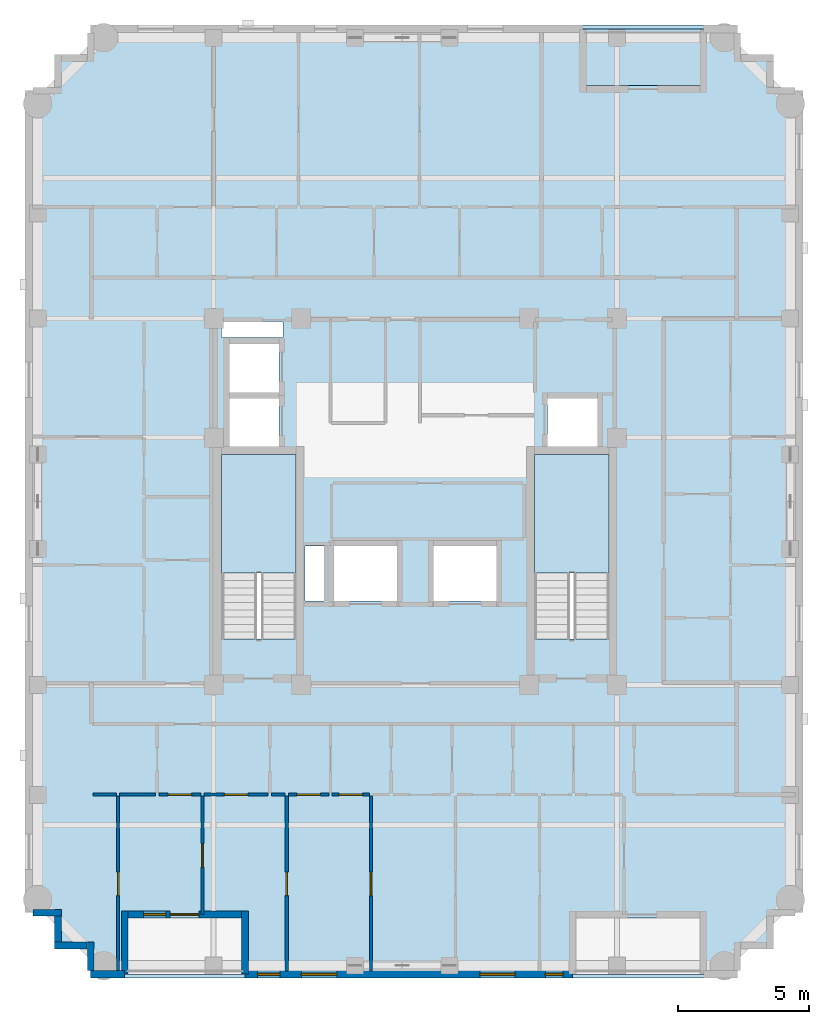
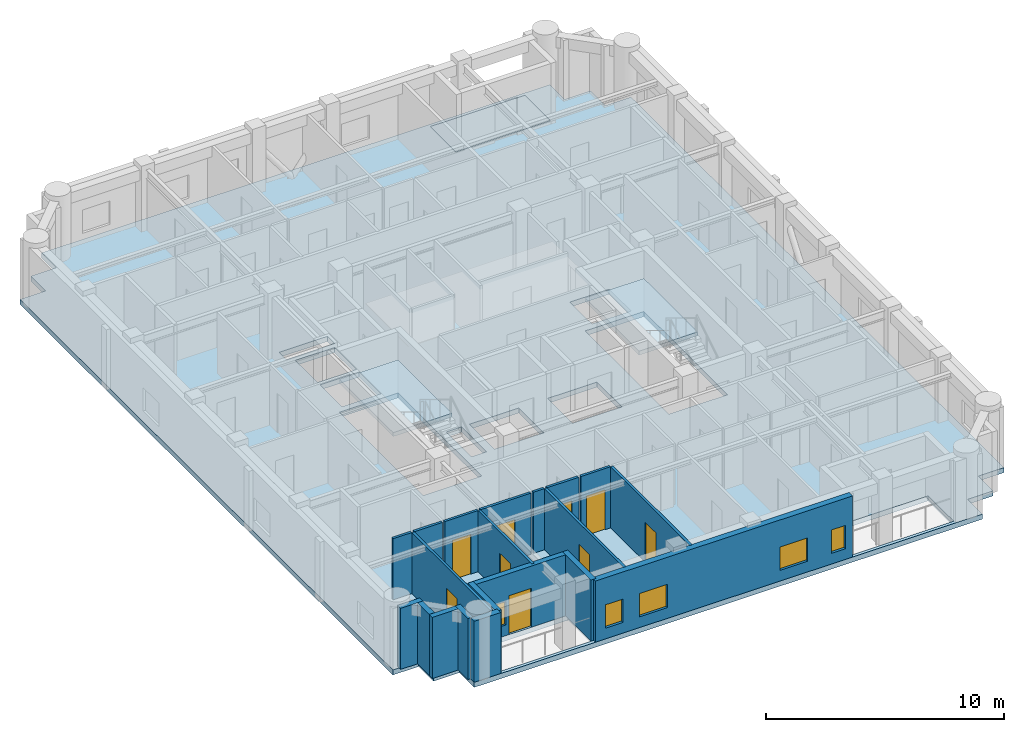
# One storey, part 2 of 11: 20 walls, 9 doors, 5 windows, 4 slabs, 14 openings, 2 elements without a shape of their own.
"""IFC4 building model written with IfcOpenShell, lengths in metres."""

from ifc_helpers import new_model, si_unit, derived_unit, direction, frame, frame_2d, origin, place, context, subcontext, project, spatial, polyline, rectangle, outline, extrude, material, layer, layer_set, type_object, element, fill, aggregate, save


model = new_model("IFC4")

# Units and contexts
model_context = context("Model", 3, precision=1e-05, world=origin(), true_north=direction((0.0, 1.0)))
body_context = subcontext(model_context, "Body", "Model", "MODEL_VIEW")
ifc_project = project(units=[si_unit("LENGTHUNIT", "METRE"), si_unit("AREAUNIT", "SQUARE_METRE"), si_unit("VOLUMEUNIT", "CUBIC_METRE"), si_unit("PLANEANGLEUNIT", "RADIAN"), si_unit("MASSUNIT", "GRAM", prefix="KILO"), derived_unit("THERMALTRANSMITTANCEUNIT", [(si_unit("MASSUNIT", "GRAM", prefix="KILO"), 1), (si_unit("TIMEUNIT", "SECOND"), -3), (si_unit("THERMODYNAMICTEMPERATUREUNIT", "KELVIN"), -1)])], contexts=[model_context])

# Site, building, storey
site_placement = place(None, origin())
site = spatial("IfcSite", under=ifc_project, at=site_placement, CompositionType="ELEMENT")
building_placement = place(site_placement, origin())
building = spatial("IfcBuilding", under=site, at=building_placement, Name="Korrvale Station Residences", CompositionType="ELEMENT")
storey_placement = place(building_placement, frame((0.0, 0.0, 224.10009765625)))
storey = spatial("IfcBuildingStorey", under=building, at=storey_placement, Name="L65", CompositionType="ELEMENT", Elevation=224.10009765625)

# Slabs
ifc_material_1 = material(Name="Concrete C50/60", Category="concrete")
ifc_layer_1 = layer(ifc_material_1, 0.219970703125, Name="Concrete C50/60")
ifc_layer_set_1 = layer_set([ifc_layer_1], Name="Concrete C50/60")
slab_type_1 = type_object("IfcSlabType", Name="SLB-BAL-220", PredefinedType="FLOOR", material=ifc_layer_set_1)
slab_1_placement = place(storey_placement, frame((0.0, 0.0, -0.22021484375)))
element("IfcSlab", 1, at=slab_1_placement, inside=storey, type_object=slab_type_1, Name="L65 Recessed Loggia Balcony Slab BAL-L65-N1", PredefinedType="FLOOR", context=body_context, shape_type="SweptSolid", body=[
    extrude(outline(polyline([(31.89990234375, 37.89990234375), (36.5, 37.89990234375), (36.5, 40.050048828125), (31.89990234375, 40.050048828125), (31.89990234375, 37.89990234375)])), origin(), (0.0, 0.0, 1.0), 0.22021484375),
])
ifc_layer_2 = layer(ifc_material_1, 0.260009765625, Name="Concrete C50/60")
ifc_layer_set_2 = layer_set([ifc_layer_2], Name="Concrete C50/60")
slab_type_2 = type_object("IfcSlabType", Name="SLB-FLR-260", PredefinedType="FLOOR", material=ifc_layer_set_2)
slab_2_placement = place(storey_placement, frame((0.0, 0.0, -0.260009765625)))
element("IfcSlab", 2, at=slab_2_placement, inside=storey, type_object=slab_type_2, Name="L65 Suspended Structural Floor Slab", PredefinedType="FLOOR", context=body_context, shape_type="SweptSolid", body=[
    extrude(outline(polyline([(13.10009765625, 3.800048828125), (37.800048828125, 3.800048828125), (37.800048828125, 5.050048828125), (39.050048828125, 5.050048828125), (39.050048828125, 6.300048828125), (40.300048828125, 6.300048828125), (40.300048828125, 37.699951171875), (39.050048828125, 37.699951171875), (39.050048828125, 38.949951171875), (37.800048828125, 38.949951171875), (37.800048828125, 40.199951171875), (13.10009765625, 40.199951171875), (13.10009765625, 38.949951171875), (11.85009765625, 38.949951171875), (11.85009765625, 37.699951171875), (10.60009765625, 37.699951171875), (10.60009765625, 6.300048828125), (11.85009765625, 6.300048828125), (11.85009765625, 5.050048828125), (13.10009765625, 5.050048828125), (13.10009765625, 3.800048828125)]), holes=[polyline([(20.949951171875, 16.751953125), (20.949951171875, 23.800048828125), (18.10009765625, 23.800048828125), (18.10009765625, 16.751953125), (20.949951171875, 16.751953125)]), polyline([(32.89990234375, 16.751953125), (32.89990234375, 23.800048828125), (30.050048828125, 23.800048828125), (30.050048828125, 16.751953125), (32.89990234375, 16.751953125)]), polyline([(18.39990234375, 24.10009765625), (20.300048828125, 24.10009765625), (20.300048828125, 25.949951171875), (18.39990234375, 25.949951171875), (18.39990234375, 24.10009765625)]), polyline([(18.39990234375, 26.169921875), (20.300048828125, 26.169921875), (20.300048828125, 28.02001953125), (18.39990234375, 28.02001953125), (18.39990234375, 26.169921875)]), polyline([(30.550048828125, 24.10009765625), (32.449951171875, 24.10009765625), (32.449951171875, 25.949951171875), (30.550048828125, 25.949951171875), (30.550048828125, 24.10009765625)]), polyline([(22.39990234375, 18.199951171875), (24.800048828125, 18.199951171875), (24.800048828125, 20.300048828125), (22.39990234375, 20.300048828125), (22.39990234375, 18.199951171875)]), polyline([(26.199951171875, 18.199951171875), (28.60009765625, 18.199951171875), (28.60009765625, 20.300048828125), (26.199951171875, 20.300048828125), (26.199951171875, 18.199951171875)]), polyline([(18.10009765625, 28.280029296875), (20.449951171875, 28.280029296875), (20.449951171875, 28.8798828125), (18.10009765625, 28.8798828125), (18.10009765625, 28.280029296875)]), polyline([(21.280029296875, 18.199951171875), (22.02001953125, 18.199951171875), (22.02001953125, 20.300048828125), (21.280029296875, 20.300048828125), (21.280029296875, 18.199951171875)]), polyline([(14.39990234375, 3.949951171875), (19.0, 3.949951171875), (19.0, 6.10009765625), (14.39990234375, 6.10009765625), (14.39990234375, 3.949951171875)]), polyline([(31.89990234375, 37.89990234375), (36.5, 37.89990234375), (36.5, 40.050048828125), (31.89990234375, 40.050048828125), (31.89990234375, 37.89990234375)]), polyline([(31.5, 3.949951171875), (36.5, 3.949951171875), (36.5, 6.10009765625), (31.5, 6.10009765625), (31.5, 3.949951171875)])]), origin(), (0.0, 0.0, 1.0), 0.260009765625),
])

# Stair, slab
stair_type = type_object("IfcStairType", Name="STR-DL-1350-20R-1700", PredefinedType="HALF_TURN_STAIR", material=ifc_material_1)
stair_1_placement = place(storey_placement, origin())
stair_1 = element("IfcStair", 3, at=stair_1_placement, inside=storey, type_object=stair_type, Name="L65 Exit Stair 1", PredefinedType="HALF_TURN_STAIR")
ifc_layer_3 = layer(ifc_material_1, 0.199951171875, Name="Concrete C50/60")
ifc_layer_set_3 = layer_set([ifc_layer_3], Name="Concrete C50/60")
slab_type_3 = type_object("IfcSlabType", Name="SLB-LND-200", PredefinedType="LANDING", material=ifc_layer_set_3)
slab_3_placement = place(storey_placement, frame((0.0, 0.0, 1.5)))
slab_3 = element("IfcSlab", 4, at=slab_3_placement, type_object=slab_type_3, Name="ST-1 landing 1", PredefinedType="LANDING", context=body_context, shape_type="SweptSolid", body=[
    extrude(outline(polyline([(20.949951171875, 19.27001953125), (20.949951171875, 23.800048828125), (18.10009765625, 23.800048828125), (18.10009765625, 19.27001953125), (20.949951171875, 19.27001953125)])), origin(), (0.0, 0.0, 1.0), 0.199951171875),
])
aggregate(stair_1, [slab_3])

stair_2_placement = place(storey_placement, origin())
stair_2 = element("IfcStair", 5, at=stair_2_placement, inside=storey, type_object=stair_type, Name="L65 Exit Stair 2", PredefinedType="HALF_TURN_STAIR")
slab_4_placement = place(storey_placement, frame((0.0, 0.0, 1.5)))
slab_4 = element("IfcSlab", 6, at=slab_4_placement, type_object=slab_type_3, Name="ST-2 landing 1", PredefinedType="LANDING", context=body_context, shape_type="SweptSolid", body=[
    extrude(outline(polyline([(32.89990234375, 19.27001953125), (32.89990234375, 23.800048828125), (30.050048828125, 23.800048828125), (30.050048828125, 19.27001953125), (32.89990234375, 19.27001953125)])), origin(), (0.0, 0.0, 1.0), 0.199951171875),
])
aggregate(stair_2, [slab_4])

# Wall
ifc_material_2 = material(Name="Precast concrete C45/55", Category="concrete")
ifc_layer_4 = layer(ifc_material_2, 0.260009765625, Name="Precast concrete C45/55")
ifc_layer_set_4 = layer_set([ifc_layer_4], Name="Precast concrete C45/55")
wall_type_1 = type_object("IfcWallType", Name="WAL-EXT-LOG260", PredefinedType="SOLIDWALL", material=ifc_layer_set_4)
wall_1_placement = place(storey_placement, frame((19.0, 3.9599609375, 0.0), z_axis=(0.0, 0.0, 1.0), x_axis=(0.0, 1.0, 0.0)))
element("IfcWall", 7, at=wall_1_placement, inside=storey, type_object=wall_type_1, Name="L65 Recessed Loggia Wall BAL-L65-S1-L", PredefinedType="SOLIDWALL", context=body_context, shape_type="SweptSolid", body=[
    extrude(rectangle(XDim=2.400146484375, YDim=0.260009765625, at=frame_2d((1.2001953125, 0.0))), origin(), (0.0, 0.0, 1.0), 3.139892578125),
])

# Wall, openings, door, window
wall_2_placement = place(storey_placement, frame((18.865966796875, 6.22998046875, 0.0), z_axis=(0.0, 0.0, 1.0), x_axis=(-1.0, 0.0, 0.0)))
wall_2 = element("IfcWall", 8, at=wall_2_placement, inside=storey, type_object=wall_type_1, Name="L65 Recessed Loggia Wall BAL-L65-S1-B", PredefinedType="SOLIDWALL", context=body_context, shape_type="SweptSolid", body=[
    extrude(rectangle(XDim=4.33203125, YDim=0.260009765625, at=frame_2d((2.166015625, 0.0))), origin(), (0.0, 0.0, 1.0), 3.139892578125),
])
opening_1_placement = place(wall_2_placement, frame((1.635986328125, 0.0, 0.0)))
opening_1 = element("IfcOpeningElement", 9, at=opening_1_placement, cuts=wall_2, Name="Opening BD-01", PredefinedType="OPENING", context=body_context, shape_type="SweptSolid", body=[
    extrude(rectangle(XDim=1.10009765625, YDim=2.0, at=frame_2d((0.550048828125, 1.0))), frame((0.0, 0.14013671875, 0.0), z_axis=(0.0, -1.0, 0.0), x_axis=(1.0, 0.0, 0.0)), (0.0, 0.0, 1.0), 0.280029296875),
])
opening_2_placement = place(wall_2_placement, frame((2.89599609375, 0.0, 0.550048828125)))
opening_2 = element("IfcOpeningElement", 10, at=opening_2_placement, cuts=wall_2, Name="Opening W-11", PredefinedType="OPENING", context=body_context, shape_type="SweptSolid", body=[
    extrude(rectangle(XDim=0.85009765625, YDim=1.199951171875, at=frame_2d((0.425048828125, 0.60009765625))), frame((0.0, 0.14013671875, 0.0), z_axis=(0.0, -1.0, 0.0), x_axis=(1.0, 0.0, 0.0)), (0.0, 0.0, 1.0), 0.280029296875),
])
ifc_material_3 = material(Name="Exterior thermally broken aluminium glazed balcony door", Category="aluminium")
door_type_1 = type_object("IfcDoorType", Name="DR-EXT-BAL", OperationType="NOTDEFINED", PredefinedType="DOOR", material=ifc_material_3)
door_1_placement = place(opening_1_placement, origin())
door_1 = element("IfcDoor", 11, at=door_1_placement, inside=storey, type_object=door_type_1, Name="L65 Loggia Balcony Door BAL-L65-S1", OperationType="SINGLE_SWING_LEFT", OverallHeight=2.0, OverallWidth=1.10009765625, PredefinedType="DOOR", context=body_context, shape_type="SweptSolid", body=[
    extrude(rectangle(XDim=1.10009765625, YDim=2.0, at=frame_2d((0.550048828125, 1.0))), frame((0.0, 0.02490234375, 0.0), z_axis=(0.0, -1.0, 0.0), x_axis=(1.0, 0.0, 0.0)), (0.0, 0.0, 1.0), 0.050048828125),
])
fill(opening_1, door_1)
ifc_material_4 = material(Name="Thermally broken aluminium frame with triple low-e glazing", Category="aluminium")
window_type_1 = type_object("IfcWindowType", Name="WIN-W11", PartitioningType="SINGLE_PANEL", PredefinedType="WINDOW", material=ifc_material_4)
window_1_placement = place(opening_2_placement, origin())
window_1 = element("IfcWindow", 12, at=window_1_placement, inside=storey, type_object=window_type_1, Name="L65 Punched Window 02", OverallHeight=1.199951171875, OverallWidth=0.85009765625, PartitioningType="SINGLE_PANEL", PredefinedType="WINDOW", context=body_context, shape_type="SweptSolid", body=[
    extrude(rectangle(XDim=0.85009765625, YDim=1.199951171875, at=frame_2d((0.425048828125, 0.60009765625))), frame((0.0, 0.030029296875, 0.0), z_axis=(0.0, -1.0, 0.0), x_axis=(1.0, 0.0, 0.0)), (0.0, 0.0, 1.0), 0.06005859375),
])
fill(opening_2, window_1)

# Walls
wall_3_placement = place(storey_placement, frame((14.39990234375, 6.360107421875, 0.0), z_axis=(0.0, 0.0, 1.0), x_axis=(0.0, -1.0, 0.0)))
element("IfcWall", 13, at=wall_3_placement, inside=storey, type_object=wall_type_1, Name="L65 Recessed Loggia Wall BAL-L65-S1-R", PredefinedType="SOLIDWALL", context=body_context, shape_type="SweptSolid", body=[
    extrude(rectangle(XDim=2.400146484375, YDim=0.260009765625, at=frame_2d((1.2001953125, 0.0))), origin(), (0.0, 0.0, 1.0), 3.139892578125),
])
wall_4_placement = place(storey_placement, frame((13.10009765625, 4.10205078125, 0.0), z_axis=(0.0, 0.0, 1.0), x_axis=(0.0, 1.0, 0.0)))
element("IfcWall", 14, at=wall_4_placement, inside=storey, type_object=wall_type_1, Name="L65 Serrated Corner Precast Step SW-1", PredefinedType="SOLIDWALL", context=body_context, shape_type="SweptSolid", body=[
    extrude(rectangle(XDim=1.077880859375, YDim=0.260009765625, at=frame_2d((0.5390625, 0.0))), origin(), (0.0, 0.0, 1.0), 3.139892578125),
])
wall_5_placement = place(storey_placement, frame((12.968017578125, 5.050048828125, 0.0), z_axis=(0.0, 0.0, 1.0), x_axis=(-1.0, 0.0, 0.0)))
element("IfcWall", 15, at=wall_5_placement, inside=storey, type_object=wall_type_1, Name="L65 Serrated Corner Precast Step SW-2", PredefinedType="SOLIDWALL", context=body_context, shape_type="SweptSolid", body=[
    extrude(rectangle(XDim=1.248046875, YDim=0.260009765625, at=frame_2d((0.6240234375, 0.0))), origin(), (0.0, 0.0, 1.0), 3.139892578125),
])
wall_6_placement = place(storey_placement, frame((11.85009765625, 5.181884765625, 0.0), z_axis=(0.0, 0.0, 1.0), x_axis=(0.0, 1.0, 0.0)))
element("IfcWall", 16, at=wall_6_placement, inside=storey, type_object=wall_type_1, Name="L65 Serrated Corner Precast Step SW-3", PredefinedType="SOLIDWALL", context=body_context, shape_type="SweptSolid", body=[
    extrude(rectangle(XDim=0.986083984375, YDim=0.260009765625, at=frame_2d((0.4931640625, 0.0))), origin(), (0.0, 0.0, 1.0), 3.139892578125),
])
wall_7_placement = place(storey_placement, frame((11.97998046875, 6.300048828125, 0.0), z_axis=(0.0, 0.0, 1.0), x_axis=(-1.0, 0.0, 0.0)))
element("IfcWall", 17, at=wall_7_placement, inside=storey, type_object=wall_type_1, Name="L65 Serrated Corner Precast Step SW-4", PredefinedType="SOLIDWALL", context=body_context, shape_type="SweptSolid", body=[
    extrude(rectangle(XDim=1.077880859375, YDim=0.260009765625, at=frame_2d((0.5390625, 0.0))), origin(), (0.0, 0.0, 1.0), 3.139892578125),
])

# Wall, openings, windows
ifc_layer_5 = layer(ifc_material_2, 0.300048828125, Name="Precast concrete C45/55")
ifc_layer_set_5 = layer_set([ifc_layer_5], Name="Precast concrete C45/55")
wall_type_2 = type_object("IfcWallType", Name="WAL-EXT-PC300", PredefinedType="SOLIDWALL", material=ifc_layer_set_5)
wall_8_placement = place(storey_placement, frame((31.5, 3.949951171875, 0.0), z_axis=(0.0, 0.0, 1.0), x_axis=(-1.0, 0.0, 0.0)))
wall_8 = element("IfcWall", 18, at=wall_8_placement, inside=storey, type_object=wall_type_2, Name="L65 South Exterior Precast Wall 2", PredefinedType="SOLIDWALL", context=body_context, shape_type="SweptSolid", body=[
    extrude(rectangle(XDim=12.5, YDim=0.300048828125, at=frame_2d((6.25, 0.0))), origin(), (0.0, 0.0, 1.0), 3.139892578125),
])
opening_3_placement = place(wall_8_placement, frame((11.1708984375, 0.0, 0.550048828125)))
opening_3 = element("IfcOpeningElement", 19, at=opening_3_placement, cuts=wall_8, Name="Opening W-11", PredefinedType="OPENING", context=body_context, shape_type="SweptSolid", body=[
    extrude(rectangle(XDim=0.85009765625, YDim=1.199951171875, at=frame_2d((0.425048828125, 0.60009765625))), frame((0.0, 0.16015625, 0.0), z_axis=(0.0, -1.0, 0.0), x_axis=(1.0, 0.0, 0.0)), (0.0, 0.0, 1.0), 0.320068359375),
])
opening_4_placement = place(wall_8_placement, frame((9.0, 0.0, 0.550048828125)))
opening_4 = element("IfcOpeningElement", 20, at=opening_4_placement, cuts=wall_8, Name="Opening W-10", PredefinedType="OPENING", context=body_context, shape_type="SweptSolid", body=[
    extrude(rectangle(XDim=1.35009765625, YDim=1.199951171875, at=frame_2d((0.675048828125, 0.60009765625))), frame((0.0, 0.16015625, 0.0), z_axis=(0.0, -1.0, 0.0), x_axis=(1.0, 0.0, 0.0)), (0.0, 0.0, 1.0), 0.320068359375),
])
opening_5_placement = place(wall_8_placement, frame((2.18603515625, 0.0, 0.550048828125)))
opening_5 = element("IfcOpeningElement", 21, at=opening_5_placement, cuts=wall_8, Name="Opening W-10", PredefinedType="OPENING", context=body_context, shape_type="SweptSolid", body=[
    extrude(rectangle(XDim=1.35009765625, YDim=1.199951171875, at=frame_2d((0.675048828125, 0.60009765625))), frame((0.0, 0.16015625, 0.0), z_axis=(0.0, -1.0, 0.0), x_axis=(1.0, 0.0, 0.0)), (0.0, 0.0, 1.0), 0.320068359375),
])
opening_6_placement = place(wall_8_placement, frame((0.35009765625, 0.0, 0.550048828125)))
opening_6 = element("IfcOpeningElement", 22, at=opening_6_placement, cuts=wall_8, Name="Opening W-12", PredefinedType="OPENING", context=body_context, shape_type="SweptSolid", body=[
    extrude(rectangle(XDim=0.679931640625, YDim=1.199951171875, at=frame_2d((0.33984375, 0.60009765625))), frame((0.0, 0.16015625, 0.0), z_axis=(0.0, -1.0, 0.0), x_axis=(1.0, 0.0, 0.0)), (0.0, 0.0, 1.0), 0.320068359375),
])
window_type_2 = type_object("IfcWindowType", Name="WIN-W10", PartitioningType="SINGLE_PANEL", PredefinedType="WINDOW", material=ifc_material_4)
window_2_placement = place(opening_4_placement, origin())
window_2 = element("IfcWindow", 23, at=window_2_placement, inside=storey, type_object=window_type_2, Name="L65 Punched Window 04", OverallHeight=1.199951171875, OverallWidth=1.35009765625, PartitioningType="SINGLE_PANEL", PredefinedType="WINDOW", context=body_context, shape_type="SweptSolid", body=[
    extrude(rectangle(XDim=1.35009765625, YDim=1.199951171875, at=frame_2d((0.675048828125, 0.60009765625))), frame((0.0, 0.030029296875, 0.0), z_axis=(0.0, -1.0, 0.0), x_axis=(1.0, 0.0, 0.0)), (0.0, 0.0, 1.0), 0.06005859375),
])
fill(opening_4, window_2)
window_3_placement = place(opening_5_placement, origin())
window_3 = element("IfcWindow", 24, at=window_3_placement, inside=storey, type_object=window_type_2, Name="L65 Punched Window 05", OverallHeight=1.199951171875, OverallWidth=1.35009765625, PartitioningType="SINGLE_PANEL", PredefinedType="WINDOW", context=body_context, shape_type="SweptSolid", body=[
    extrude(rectangle(XDim=1.35009765625, YDim=1.199951171875, at=frame_2d((0.675048828125, 0.60009765625))), frame((0.0, 0.030029296875, 0.0), z_axis=(0.0, -1.0, 0.0), x_axis=(1.0, 0.0, 0.0)), (0.0, 0.0, 1.0), 0.06005859375),
])
fill(opening_5, window_3)
window_4_placement = place(opening_3_placement, origin())
window_4 = element("IfcWindow", 25, at=window_4_placement, inside=storey, type_object=window_type_1, Name="L65 Punched Window 03", OverallHeight=1.199951171875, OverallWidth=0.85009765625, PartitioningType="SINGLE_PANEL", PredefinedType="WINDOW", context=body_context, shape_type="SweptSolid", body=[
    extrude(rectangle(XDim=0.85009765625, YDim=1.199951171875, at=frame_2d((0.425048828125, 0.60009765625))), frame((0.0, 0.030029296875, 0.0), z_axis=(0.0, -1.0, 0.0), x_axis=(1.0, 0.0, 0.0)), (0.0, 0.0, 1.0), 0.06005859375),
])
fill(opening_3, window_4)
window_type_3 = type_object("IfcWindowType", Name="WIN-W12", PartitioningType="SINGLE_PANEL", PredefinedType="WINDOW", material=ifc_material_4)
window_5_placement = place(opening_6_placement, origin())
window_5 = element("IfcWindow", 26, at=window_5_placement, inside=storey, type_object=window_type_3, Name="L65 Punched Window 06", OverallHeight=1.199951171875, OverallWidth=0.679931640625, PartitioningType="SINGLE_PANEL", PredefinedType="WINDOW", context=body_context, shape_type="SweptSolid", body=[
    extrude(rectangle(XDim=0.679931640625, YDim=1.199951171875, at=frame_2d((0.33984375, 0.60009765625))), frame((0.0, 0.030029296875, 0.0), z_axis=(0.0, -1.0, 0.0), x_axis=(1.0, 0.0, 0.0)), (0.0, 0.0, 1.0), 0.06005859375),
])
fill(opening_6, window_5)

# Walls
wall_9_placement = place(storey_placement, frame((14.39990234375, 3.949951171875, 0.0), z_axis=(0.0, 0.0, 1.0), x_axis=(-1.0, 0.0, 0.0)))
element("IfcWall", 27, at=wall_9_placement, inside=storey, type_object=wall_type_2, Name="L65 South Exterior Precast Wall 3", PredefinedType="SOLIDWALL", context=body_context, shape_type="SweptSolid", body=[
    extrude(rectangle(XDim=1.2998046875, YDim=0.300048828125, at=frame_2d((0.64990234375, 0.0))), origin(), (0.0, 0.0, 1.0), 3.139892578125),
])
ifc_material_5 = material(Name="Acoustic steel-stud gypsum board partition", Category="steel")
ifc_layer_6 = layer(ifc_material_5, 0.1201171875, Name="Acoustic steel-stud gypsum board partition")
ifc_layer_set_6 = layer_set([ifc_layer_6], Name="Acoustic steel-stud gypsum board partition")
wall_type_3 = type_object("IfcWallType", Name="WAL-PART-125", PredefinedType="PARTITIONING", material=ifc_layer_set_6)
wall_10_placement = place(storey_placement, frame((13.179931640625, 10.81005859375, 0.0), z_axis=(0.0, 0.0, 1.0), x_axis=(1.0, 0.0, 0.0)))
element("IfcWall", 28, at=wall_10_placement, inside=storey, type_object=wall_type_3, Name="L65 Suite Partition U01-H09", PredefinedType="PARTITIONING", context=body_context, shape_type="SweptSolid", body=[
    extrude(rectangle(XDim=0.91015625, YDim=0.1201171875, at=frame_2d((0.455078125, 0.0))), origin(), (0.0, 0.0, 1.0), 3.139892578125),
])
wall_11_placement = place(storey_placement, frame((14.2099609375, 10.81005859375, 0.0), z_axis=(0.0, 0.0, 1.0), x_axis=(1.0, 0.0, 0.0)))
element("IfcWall", 29, at=wall_11_placement, inside=storey, type_object=wall_type_3, Name="L65 Suite Partition U01-H010", PredefinedType="PARTITIONING", context=body_context, shape_type="SweptSolid", body=[
    extrude(rectangle(XDim=1.3701171875, YDim=0.1201171875, at=frame_2d((0.68505859375, 0.0))), origin(), (0.0, 0.0, 1.0), 3.139892578125),
])

# Wall, opening, door
wall_12_placement = place(storey_placement, frame((15.699951171875, 10.81005859375, 0.0), z_axis=(0.0, 0.0, 1.0), x_axis=(1.0, 0.0, 0.0)))
wall_12 = element("IfcWall", 30, at=wall_12_placement, inside=storey, type_object=wall_type_3, Name="L65 Suite Partition U01-H110", PredefinedType="PARTITIONING", context=body_context, shape_type="SweptSolid", body=[
    extrude(rectangle(XDim=1.610107421875, YDim=0.1201171875, at=frame_2d((0.80517578125, 0.0))), origin(), (0.0, 0.0, 1.0), 3.139892578125),
])
opening_7_placement = place(wall_12_placement, frame((0.35498046875, 0.0, 0.0)))
opening_7 = element("IfcOpeningElement", 31, at=opening_7_placement, cuts=wall_12, Name="Opening DI-900", PredefinedType="OPENING", context=body_context, shape_type="SweptSolid", body=[
    extrude(rectangle(XDim=0.89990234375, YDim=2.050048828125, at=frame_2d((0.449951171875, 1.02490234375))), frame((0.0, 0.070068359375, 0.0), z_axis=(0.0, -1.0, 0.0), x_axis=(1.0, 0.0, 0.0)), (0.0, 0.0, 1.0), 0.14013671875),
])
ifc_material_6 = material(Name="Painted solid-core timber interior room door", Category="wood")
door_type_2 = type_object("IfcDoorType", Name="DR-INT-900", OperationType="NOTDEFINED", PredefinedType="DOOR", material=ifc_material_6)
door_2_placement = place(opening_7_placement, origin())
door_2 = element("IfcDoor", 32, at=door_2_placement, inside=storey, type_object=door_type_2, Name="L65 Studio Apartment L65-U01 Kitchen Door", OperationType="SINGLE_SWING_LEFT", OverallHeight=2.050048828125, OverallWidth=0.89990234375, PredefinedType="DOOR", context=body_context, shape_type="SweptSolid", body=[
    extrude(rectangle(XDim=0.89990234375, YDim=2.050048828125, at=frame_2d((0.449951171875, 1.02490234375))), frame((0.0, 0.02490234375, 0.0), z_axis=(0.0, -1.0, 0.0), x_axis=(1.0, 0.0, 0.0)), (0.0, 0.0, 1.0), 0.050048828125),
])
fill(opening_7, door_2)

wall_13_placement = place(storey_placement, frame((17.429931640625, 10.81005859375, 0.0), z_axis=(0.0, 0.0, 1.0), x_axis=(1.0, 0.0, 0.0)))
wall_13 = element("IfcWall", 33, at=wall_13_placement, inside=storey, type_object=wall_type_3, Name="L65 Suite Partition U01-H111", PredefinedType="PARTITIONING", context=body_context, shape_type="SweptSolid", body=[
    extrude(rectangle(XDim=2.449951171875, YDim=0.1201171875, at=frame_2d((1.22509765625, 0.0))), origin(), (0.0, 0.0, 1.0), 3.139892578125),
])
opening_8_placement = place(wall_13_placement, frame((0.77490234375, 0.0, 0.0)))
opening_8 = element("IfcOpeningElement", 34, at=opening_8_placement, cuts=wall_13, Name="Opening DI-900", PredefinedType="OPENING", context=body_context, shape_type="SweptSolid", body=[
    extrude(rectangle(XDim=0.89990234375, YDim=2.050048828125, at=frame_2d((0.449951171875, 1.02490234375))), frame((0.0, 0.070068359375, 0.0), z_axis=(0.0, -1.0, 0.0), x_axis=(1.0, 0.0, 0.0)), (0.0, 0.0, 1.0), 0.14013671875),
])
door_3_placement = place(opening_8_placement, origin())
door_3 = element("IfcDoor", 35, at=door_3_placement, inside=storey, type_object=door_type_2, Name="L65 Studio Apartment L65-U01 Kitchen Door", OperationType="SINGLE_SWING_RIGHT", OverallHeight=2.050048828125, OverallWidth=0.89990234375, PredefinedType="DOOR", context=body_context, shape_type="SweptSolid", body=[
    extrude(rectangle(XDim=0.89990234375, YDim=2.050048828125, at=frame_2d((0.449951171875, 1.02490234375))), frame((0.0, 0.02490234375, 0.0), z_axis=(0.0, -1.0, 0.0), x_axis=(1.0, 0.0, 0.0)), (0.0, 0.0, 1.0), 0.050048828125),
])
fill(opening_8, door_3)

# Wall
wall_14_placement = place(storey_placement, frame((20.0, 10.81005859375, 0.0), z_axis=(0.0, 0.0, 1.0), x_axis=(1.0, 0.0, 0.0)))
element("IfcWall", 36, at=wall_14_placement, inside=storey, type_object=wall_type_3, Name="L65 Suite Partition U01-H211", PredefinedType="PARTITIONING", context=body_context, shape_type="SweptSolid", body=[
    extrude(rectangle(XDim=0.530029296875, YDim=0.1201171875, at=frame_2d((0.26513671875, 0.0))), origin(), (0.0, 0.0, 1.0), 3.139892578125),
])

# Wall, opening, door
wall_15_placement = place(storey_placement, frame((20.64990234375, 10.81005859375, 0.0), z_axis=(0.0, 0.0, 1.0), x_axis=(1.0, 0.0, 0.0)))
wall_15 = element("IfcWall", 37, at=wall_15_placement, inside=storey, type_object=wall_type_3, Name="L65 Suite Partition U01-H212", PredefinedType="PARTITIONING", context=body_context, shape_type="SweptSolid", body=[
    extrude(rectangle(XDim=1.550048828125, YDim=0.1201171875, at=frame_2d((0.77490234375, 0.0))), origin(), (0.0, 0.0, 1.0), 3.139892578125),
])
opening_9_placement = place(wall_15_placement, frame((0.324951171875, 0.0, 0.0)))
opening_9 = element("IfcOpeningElement", 38, at=opening_9_placement, cuts=wall_15, Name="Opening DI-900", PredefinedType="OPENING", context=body_context, shape_type="SweptSolid", body=[
    extrude(rectangle(XDim=0.89990234375, YDim=2.050048828125, at=frame_2d((0.449951171875, 1.02490234375))), frame((0.0, 0.070068359375, 0.0), z_axis=(0.0, -1.0, 0.0), x_axis=(1.0, 0.0, 0.0)), (0.0, 0.0, 1.0), 0.14013671875),
])
door_4_placement = place(opening_9_placement, origin())
door_4 = element("IfcDoor", 39, at=door_4_placement, inside=storey, type_object=door_type_2, Name="L65 Studio Apartment L65-U01 Wardrobe Storage Room Door", OperationType="SINGLE_SWING_RIGHT", OverallHeight=2.050048828125, OverallWidth=0.89990234375, PredefinedType="DOOR", context=body_context, shape_type="SweptSolid", body=[
    extrude(rectangle(XDim=0.89990234375, YDim=2.050048828125, at=frame_2d((0.449951171875, 1.02490234375))), frame((0.0, 0.02490234375, 0.0), z_axis=(0.0, -1.0, 0.0), x_axis=(1.0, 0.0, 0.0)), (0.0, 0.0, 1.0), 0.050048828125),
])
fill(opening_9, door_4)

wall_16_placement = place(storey_placement, frame((22.320068359375, 10.81005859375, 0.0), z_axis=(0.0, 0.0, 1.0), x_axis=(1.0, 0.0, 0.0)))
wall_16 = element("IfcWall", 40, at=wall_16_placement, inside=storey, type_object=wall_type_3, Name="L65 Suite Partition U01-H312", PredefinedType="PARTITIONING", context=body_context, shape_type="SweptSolid", body=[
    extrude(rectangle(XDim=1.429931640625, YDim=0.1201171875, at=frame_2d((0.71484375, 0.0))), origin(), (0.0, 0.0, 1.0), 3.139892578125),
])
opening_10_placement = place(wall_16_placement, frame((0.264892578125, 0.0, 0.0)))
opening_10 = element("IfcOpeningElement", 41, at=opening_10_placement, cuts=wall_16, Name="Opening DI-900", PredefinedType="OPENING", context=body_context, shape_type="SweptSolid", body=[
    extrude(rectangle(XDim=0.89990234375, YDim=2.050048828125, at=frame_2d((0.449951171875, 1.02490234375))), frame((0.0, 0.070068359375, 0.0), z_axis=(0.0, -1.0, 0.0), x_axis=(1.0, 0.0, 0.0)), (0.0, 0.0, 1.0), 0.14013671875),
])
door_5_placement = place(opening_10_placement, origin())
door_5 = element("IfcDoor", 42, at=door_5_placement, inside=storey, type_object=door_type_2, Name="L65 Studio Apartment L65-U01 Wardrobe Storage Room Door", OperationType="SINGLE_SWING_RIGHT", OverallHeight=2.050048828125, OverallWidth=0.89990234375, PredefinedType="DOOR", context=body_context, shape_type="SweptSolid", body=[
    extrude(rectangle(XDim=0.89990234375, YDim=2.050048828125, at=frame_2d((0.449951171875, 1.02490234375))), frame((0.0, 0.02490234375, 0.0), z_axis=(0.0, -1.0, 0.0), x_axis=(1.0, 0.0, 0.0)), (0.0, 0.0, 1.0), 0.050048828125),
])
fill(opening_10, door_5)

wall_17_placement = place(storey_placement, frame((14.14990234375, 4.080078125, 0.0), z_axis=(0.0, 0.0, 1.0), x_axis=(0.0, 1.0, 0.0)))
wall_17 = element("IfcWall", 43, at=wall_17_placement, inside=storey, type_object=wall_type_3, Name="L65 Suite Partition U01-V910", PredefinedType="PARTITIONING", context=body_context, shape_type="SweptSolid", body=[
    extrude(rectangle(XDim=6.669921875, YDim=0.1201171875, at=frame_2d((3.3349609375, 0.0))), origin(), (0.0, 0.0, 1.0), 3.139892578125),
])
opening_11_placement = place(wall_17_placement, frame((2.8701171875, 0.0, 0.0)))
opening_11 = element("IfcOpeningElement", 44, at=opening_11_placement, cuts=wall_17, Name="Opening DI-900", PredefinedType="OPENING", context=body_context, shape_type="SweptSolid", body=[
    extrude(rectangle(XDim=0.89990234375, YDim=2.050048828125, at=frame_2d((0.449951171875, 1.02490234375))), frame((0.0, 0.070068359375, 0.0), z_axis=(0.0, -1.0, 0.0), x_axis=(1.0, 0.0, 0.0)), (0.0, 0.0, 1.0), 0.14013671875),
])
door_6_placement = place(opening_11_placement, origin())
door_6 = element("IfcDoor", 45, at=door_6_placement, inside=storey, type_object=door_type_2, Name="L65 Studio Apartment L65-U01 Walk-In Wardrobe Door", OperationType="SINGLE_SWING_RIGHT", OverallHeight=2.050048828125, OverallWidth=0.89990234375, PredefinedType="DOOR", context=body_context, shape_type="SweptSolid", body=[
    extrude(rectangle(XDim=0.89990234375, YDim=2.050048828125, at=frame_2d((0.449951171875, 1.02490234375))), frame((0.0, 0.02490234375, 0.0), z_axis=(0.0, -1.0, 0.0), x_axis=(1.0, 0.0, 0.0)), (0.0, 0.0, 1.0), 0.050048828125),
])
fill(opening_11, door_6)

wall_18_placement = place(storey_placement, frame((17.3701171875, 6.22998046875, 0.0), z_axis=(0.0, 0.0, 1.0), x_axis=(0.0, 1.0, 0.0)))
wall_18 = element("IfcWall", 46, at=wall_18_placement, inside=storey, type_object=wall_type_3, Name="L65 Suite Partition U01-V1011", PredefinedType="PARTITIONING", context=body_context, shape_type="SweptSolid", body=[
    extrude(rectangle(XDim=4.52001953125, YDim=0.1201171875, at=frame_2d((2.260009765625, 0.0))), origin(), (0.0, 0.0, 1.0), 3.139892578125),
])
opening_12_placement = place(wall_18_placement, frame((1.81005859375, 0.0, 0.0)))
opening_12 = element("IfcOpeningElement", 47, at=opening_12_placement, cuts=wall_18, Name="Opening DI-900", PredefinedType="OPENING", context=body_context, shape_type="SweptSolid", body=[
    extrude(rectangle(XDim=0.89990234375, YDim=2.050048828125, at=frame_2d((0.449951171875, 1.02490234375))), frame((0.0, 0.070068359375, 0.0), z_axis=(0.0, -1.0, 0.0), x_axis=(1.0, 0.0, 0.0)), (0.0, 0.0, 1.0), 0.14013671875),
])
door_7_placement = place(opening_12_placement, origin())
door_7 = element("IfcDoor", 48, at=door_7_placement, inside=storey, type_object=door_type_2, Name="L65 Studio Apartment L65-U01 Formal Dining Room Door", OperationType="SINGLE_SWING_LEFT", OverallHeight=2.050048828125, OverallWidth=0.89990234375, PredefinedType="DOOR", context=body_context, shape_type="SweptSolid", body=[
    extrude(rectangle(XDim=0.89990234375, YDim=2.050048828125, at=frame_2d((0.449951171875, 1.02490234375))), frame((0.0, 0.02490234375, 0.0), z_axis=(0.0, -1.0, 0.0), x_axis=(1.0, 0.0, 0.0)), (0.0, 0.0, 1.0), 0.050048828125),
])
fill(opening_12, door_7)

wall_19_placement = place(storey_placement, frame((20.590087890625, 4.080078125, 0.0), z_axis=(0.0, 0.0, 1.0), x_axis=(0.0, 1.0, 0.0)))
wall_19 = element("IfcWall", 49, at=wall_19_placement, inside=storey, type_object=wall_type_3, Name="L65 Suite Partition U01-V1112", PredefinedType="PARTITIONING", context=body_context, shape_type="SweptSolid", body=[
    extrude(rectangle(XDim=6.669921875, YDim=0.1201171875, at=frame_2d((3.3349609375, 0.0))), origin(), (0.0, 0.0, 1.0), 3.139892578125),
])
opening_13_placement = place(wall_19_placement, frame((2.8701171875, 0.0, 0.0)))
opening_13 = element("IfcOpeningElement", 50, at=opening_13_placement, cuts=wall_19, Name="Opening DI-900", PredefinedType="OPENING", context=body_context, shape_type="SweptSolid", body=[
    extrude(rectangle(XDim=0.89990234375, YDim=2.050048828125, at=frame_2d((0.449951171875, 1.02490234375))), frame((0.0, 0.070068359375, 0.0), z_axis=(0.0, -1.0, 0.0), x_axis=(1.0, 0.0, 0.0)), (0.0, 0.0, 1.0), 0.14013671875),
])
door_8_placement = place(opening_13_placement, origin())
door_8 = element("IfcDoor", 51, at=door_8_placement, inside=storey, type_object=door_type_2, Name="L65 Studio Apartment L65-U01 Formal Dining Room Door", OperationType="SINGLE_SWING_RIGHT", OverallHeight=2.050048828125, OverallWidth=0.89990234375, PredefinedType="DOOR", context=body_context, shape_type="SweptSolid", body=[
    extrude(rectangle(XDim=0.89990234375, YDim=2.050048828125, at=frame_2d((0.449951171875, 1.02490234375))), frame((0.0, 0.02490234375, 0.0), z_axis=(0.0, -1.0, 0.0), x_axis=(1.0, 0.0, 0.0)), (0.0, 0.0, 1.0), 0.050048828125),
])
fill(opening_13, door_8)

wall_20_placement = place(storey_placement, frame((23.81005859375, 4.080078125, 0.0), z_axis=(0.0, 0.0, 1.0), x_axis=(0.0, 1.0, 0.0)))
wall_20 = element("IfcWall", 52, at=wall_20_placement, inside=storey, type_object=wall_type_3, Name="L65 Suite Partition U01-V1213", PredefinedType="PARTITIONING", context=body_context, shape_type="SweptSolid", body=[
    extrude(rectangle(XDim=6.669921875, YDim=0.1201171875, at=frame_2d((3.3349609375, 0.0))), origin(), (0.0, 0.0, 1.0), 3.139892578125),
])
opening_14_placement = place(wall_20_placement, frame((2.8701171875, 0.0, 0.0)))
opening_14 = element("IfcOpeningElement", 53, at=opening_14_placement, cuts=wall_20, Name="Opening DI-900", PredefinedType="OPENING", context=body_context, shape_type="SweptSolid", body=[
    extrude(rectangle(XDim=0.89990234375, YDim=2.050048828125, at=frame_2d((0.449951171875, 1.02490234375))), frame((0.0, 0.070068359375, 0.0), z_axis=(0.0, -1.0, 0.0), x_axis=(1.0, 0.0, 0.0)), (0.0, 0.0, 1.0), 0.14013671875),
])
door_9_placement = place(opening_14_placement, origin())
door_9 = element("IfcDoor", 54, at=door_9_placement, inside=storey, type_object=door_type_2, Name="L65 Studio Apartment L65-U01 Formal Dining Room Door", OperationType="SINGLE_SWING_LEFT", OverallHeight=2.050048828125, OverallWidth=0.89990234375, PredefinedType="DOOR", context=body_context, shape_type="SweptSolid", body=[
    extrude(rectangle(XDim=0.89990234375, YDim=2.050048828125, at=frame_2d((0.449951171875, 1.02490234375))), frame((0.0, 0.02490234375, 0.0), z_axis=(0.0, -1.0, 0.0), x_axis=(1.0, 0.0, 0.0)), (0.0, 0.0, 1.0), 0.050048828125),
])
fill(opening_14, door_9)

save(model, "model.ifc")
